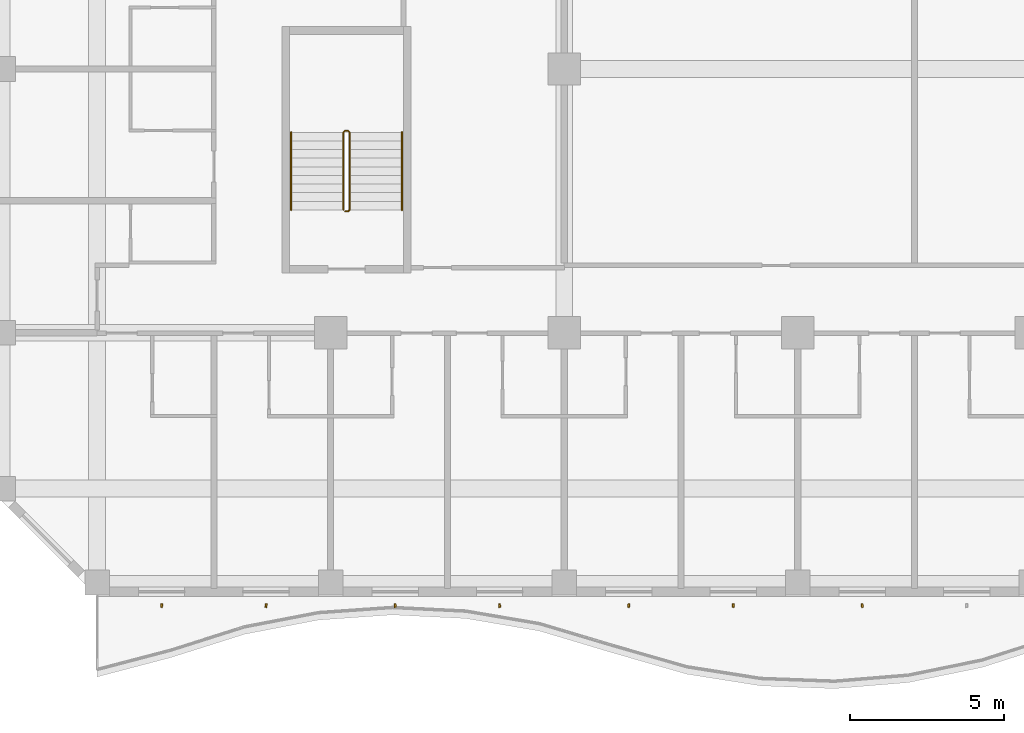
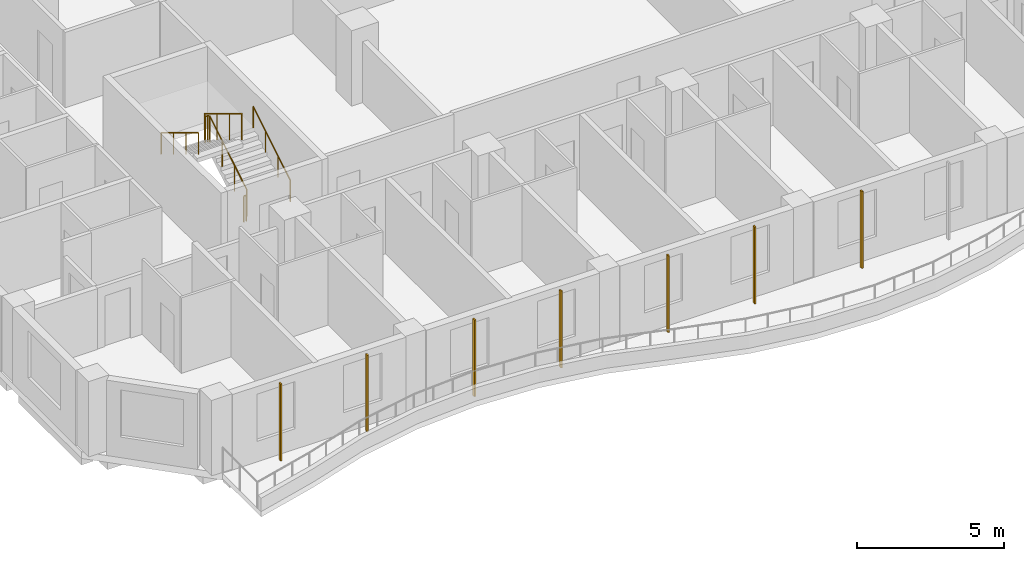
# One storey, part 15 of 24: 7 shading devices, 3 railings.
"""IFC4 building model written with IfcOpenShell, lengths in metres."""

from ifc_helpers import new_model, si_unit, direction, frame, origin, origin_2d, place, context, subcontext, project, spatial, rectangle, circle, extrude, source, transform, mapped, material, material_profile, profile_set, type_object, element, save


model = new_model("IFC4")

# Units and contexts
model_context = context("Model", 3, precision=1e-05, world=origin(), true_north=direction((0.0, 1.0)))
body_context = subcontext(model_context, "Body", "Model", "MODEL_VIEW")
ifc_project = project(units=[si_unit("LENGTHUNIT", "METRE"), si_unit("AREAUNIT", "SQUARE_METRE"), si_unit("VOLUMEUNIT", "CUBIC_METRE"), si_unit("PLANEANGLEUNIT", "RADIAN"), si_unit("MASSUNIT", "GRAM", prefix="KILO")], contexts=[model_context])

# Site, building, storey
site_placement = place(None, origin())
site = spatial("IfcSite", under=ifc_project, at=site_placement, CompositionType="ELEMENT")
building_placement = place(site_placement, origin())
building = spatial("IfcBuilding", under=site, at=building_placement, Name="Kilnfold Tower and Market Hall", CompositionType="ELEMENT")
storey_placement = place(building_placement, frame((0.0, 0.0, 175.300048828125)))
storey = spatial("IfcBuildingStorey", under=building, at=storey_placement, Name="L41", CompositionType="ELEMENT", Elevation=175.300048828125)

# Railings
ifc_material_1 = material(Name="Stainless steel 316", Category="steel")
railing_type_1 = type_object("IfcRailingType", Name="CORE STAIR GUARD 1100", PredefinedType="GUARDRAIL", material=ifc_material_1)
railing_1_placement = place(storey_placement, frame((-15.699951171875, -13.75, 0.0)))
element("IfcRailing", 1, at=railing_1_placement, inside=storey, type_object=railing_type_1, Name="L41 ST3 stair guard 1", PredefinedType="GUARDRAIL", context=body_context, shape_type="SweptSolid", body=[
    extrude(circle(Radius=0.02392578125, at=origin_2d()), frame((0.0, 0.0, 1.076171875), z_axis=(1.0, 0.0, 0.0), x_axis=(0.0, 1.0, 0.0)), (0.0, 0.0, 1.0), 0.099853515625),
    extrude(circle(Radius=0.02392578125, at=origin_2d()), frame((0.099853515625, 0.0, 1.076171875), z_axis=(0.271895245746, 0.271895245746, 0.923117517265), x_axis=(-0.707106781187, 0.707106781187, 0.0)), (0.0, 0.0, 1.0), 0.18408203125),
    extrude(circle(Radius=0.02392578125, at=origin_2d()), frame((0.14990234375, 0.050048828125, 1.24609375), z_axis=(0.0, 0.85478489116, 0.518982456201), x_axis=(-1.0, 0.0, 0.0)), (0.0, 0.0, 1.0), 2.9482421875),
    extrude(circle(Radius=0.02392578125, at=origin_2d()), frame((0.14990234375, 2.570068359375, 2.77587890625), z_axis=(-0.707106781187, 0.707106781187, 0.0), x_axis=(-0.707106781187, -0.707106781187, 0.0)), (0.0, 0.0, 1.0), 0.07080078125),
    extrude(circle(Radius=0.02392578125, at=origin_2d()), frame((0.099853515625, 2.6201171875, 2.77587890625), z_axis=(-1.0, 0.0, 0.0), x_axis=(0.0, -1.0, 0.0)), (0.0, 0.0, 1.0), 0.099853515625),
    extrude(circle(Radius=0.02392578125, at=origin_2d()), frame((0.0, 2.6201171875, 2.77587890625), z_axis=(-0.271895245746, -0.271895245746, 0.923117517265), x_axis=(0.707106781187, -0.707106781187, 0.0)), (0.0, 0.0, 1.0), 0.18408203125),
    extrude(circle(Radius=0.02392578125, at=origin_2d()), frame((-0.050048828125, 2.570068359375, 2.94580078125), z_axis=(0.0, -0.85478489116, 0.518982456201), x_axis=(1.0, 0.0, 0.0)), (0.0, 0.0, 1.0), 2.9482421875),
    extrude(circle(Radius=0.02099609375, at=origin_2d()), origin(), (0.0, 0.0, 1.0), 1.052001953125),
    extrude(circle(Radius=0.02099609375, at=origin_2d()), frame((0.099853515625, 0.0, 0.0)), (0.0, 0.0, 1.0), 1.052001953125),
    extrude(circle(Radius=0.02099609375, at=origin_2d()), frame((0.14990234375, 0.050048828125, 0.169921875)), (0.0, 0.0, 1.0), 1.052001953125),
    extrude(circle(Radius=0.02099609375, at=origin_2d()), frame((0.14990234375, 0.89013671875, 0.679931640625)), (0.0, 0.0, 1.0), 1.052001953125),
    extrude(circle(Radius=0.02099609375, at=origin_2d()), frame((0.14990234375, 1.72998046875, 1.18994140625)), (0.0, 0.0, 1.0), 1.052001953125),
    extrude(circle(Radius=0.02099609375, at=origin_2d()), frame((0.14990234375, 2.570068359375, 1.699951171875)), (0.0, 0.0, 1.0), 1.052001953125),
    extrude(circle(Radius=0.02099609375, at=origin_2d()), frame((0.099853515625, 2.6201171875, 1.699951171875)), (0.0, 0.0, 1.0), 1.052001953125),
    extrude(circle(Radius=0.02099609375, at=origin_2d()), frame((0.0, 2.6201171875, 1.699951171875)), (0.0, 0.0, 1.0), 1.052001953125),
    extrude(circle(Radius=0.02099609375, at=origin_2d()), frame((-0.050048828125, 2.570068359375, 1.869873046875)), (0.0, 0.0, 1.0), 1.052001953125),
    extrude(circle(Radius=0.02099609375, at=origin_2d()), frame((-0.050048828125, 1.72998046875, 2.3798828125)), (0.0, 0.0, 1.0), 1.052001953125),
    extrude(circle(Radius=0.02099609375, at=origin_2d()), frame((-0.050048828125, 0.89013671875, 2.889892578125)), (0.0, 0.0, 1.0), 1.052001953125),
    extrude(circle(Radius=0.02099609375, at=origin_2d()), frame((-0.050048828125, 0.050048828125, 3.39990234375)), (0.0, 0.0, 1.0), 1.052001953125),
])
ifc_material_2 = material(Name="Stainless steel 316", Category="steel")
railing_type_2 = type_object("IfcRailingType", Name="CORE STAIR HANDRAIL 900", PredefinedType="HANDRAIL", material=ifc_material_2)
railing_2_placement = place(storey_placement, frame((-13.85009765625, -13.699951171875, 0.169921875)))
element("IfcRailing", 2, at=railing_2_placement, inside=storey, type_object=railing_type_2, Name="L41 ST3 stair handrail 1", PredefinedType="HANDRAIL", context=body_context, shape_type="SweptSolid", body=[
    extrude(circle(Radius=0.02392578125, at=origin_2d()), frame((0.0, 0.0, 0.8759765625), z_axis=(0.0, 0.85478489116, 0.518982456201), x_axis=(-1.0, 0.0, 0.0)), (0.0, 0.0, 1.0), 2.9482421875),
    extrude(circle(Radius=0.02099609375, at=origin_2d()), origin(), (0.0, 0.0, 1.0), 0.851806640625),
    extrude(circle(Radius=0.02099609375, at=origin_2d()), frame((0.0, 0.840087890625, 0.510009765625)), (0.0, 0.0, 1.0), 0.851806640625),
    extrude(circle(Radius=0.02099609375, at=origin_2d()), frame((0.0, 1.679931640625, 1.02001953125)), (0.0, 0.0, 1.0), 0.851806640625),
    extrude(circle(Radius=0.02099609375, at=origin_2d()), frame((0.0, 2.52001953125, 1.530029296875)), (0.0, 0.0, 1.0), 0.851806640625),
])
railing_3_placement = place(storey_placement, frame((-17.449951171875, -11.179931640625, 1.869873046875)))
element("IfcRailing", 3, at=railing_3_placement, inside=storey, type_object=railing_type_2, Name="L41 ST3 stair handrail 2", PredefinedType="HANDRAIL", context=body_context, shape_type="SweptSolid", body=[
    extrude(circle(Radius=0.02392578125, at=origin_2d()), frame((0.0, 0.0, 0.8759765625), z_axis=(0.0, -0.85478489116, 0.518982456201), x_axis=(1.0, 0.0, 0.0)), (0.0, 0.0, 1.0), 2.9482421875),
    extrude(circle(Radius=0.02099609375, at=origin_2d()), origin(), (0.0, 0.0, 1.0), 0.851806640625),
    extrude(circle(Radius=0.02099609375, at=origin_2d()), frame((0.0, -0.840087890625, 0.510009765625)), (0.0, 0.0, 1.0), 0.851806640625),
    extrude(circle(Radius=0.02099609375, at=origin_2d()), frame((0.0, -1.679931640625, 1.02001953125)), (0.0, 0.0, 1.0), 0.851806640625),
    extrude(circle(Radius=0.02099609375, at=origin_2d()), frame((0.0, -2.52001953125, 1.530029296875)), (0.0, 0.0, 1.0), 0.851806640625),
])

# Shading devices
ifc_material_3 = material(Name="Terracotta", Category="masonry")
ifc_material_profile = material_profile(ifc_material_3, rectangle(XDim=0.06005859375, YDim=0.1201171875, at=origin_2d()), Name="BAG 60x120")
ifc_profile_set = profile_set([ifc_material_profile], Name="Terracotta")
shading_device_type = type_object("IfcShadingDeviceType", Name="BAGUETTE", PredefinedType="USERDEFINED", material=ifc_profile_set)
shared_shape = source(origin(), body_context, "Body", "SweptSolid", [
    extrude(rectangle(XDim=0.06005859375, YDim=0.1201171875, at=origin_2d()), origin(), (0.0, 0.0, 1.0), 3.179931640625),
])
for number, where, z_axis, x_axis, name in (
    (4, (-21.654296875, -26.550048828125, 0.0), (0.0, 0.0, 1.0), (0.99727431926, -0.073783007159, 0.0), "Terracotta baguette L41 S"),
    (5, (-18.2626953125, -26.550048828125, 0.0), (0.0, 0.0, 1.0), (0.992573565059, -0.12164587106, 0.0), "Terracotta baguette L41 S"),
    (6, (-14.07080078125, -26.550048828125, 0.0), (0.0, 0.0, 1.0), (0.994802098947, 0.101827225878, 0.0), "Terracotta baguette L41 S"),
    (7, (-10.67919921875, -26.550048828125, 0.0), (0.0, 0.0, 1.0), (0.994985290956, 0.100021351631, 0.0), "Terracotta baguette L41 S"),
    (8, (-6.4873046875, -26.550048828125, 0.0), (0.0, 0.0, 1.0), (0.992419487701, -0.12289654361, 0.0), "Terracotta baguette L41 S"),
    (9, (-3.095703125, -26.550048828125, 0.0), (0.0, 0.0, 1.0), (0.997437537453, -0.071542706686, 0.0), "Terracotta baguette L41 S"),
    (10, (1.095703125, -26.550048828125, 0.0), (0.0, 0.0, 1.0), (0.990764887171, 0.135591070318, 0.0), "Terracotta baguette L41 S"),
):
    element("IfcShadingDevice", number, at=place(storey_placement, frame(where, z_axis=z_axis, x_axis=x_axis)), inside=storey, type_object=shading_device_type, Name=name, ObjectType="BAGUETTE", PredefinedType="USERDEFINED", context=body_context, shape_type="MappedRepresentation", body=[
        mapped(shared_shape, transform((0.0, 0.0, 0.0))),
    ])

save(model, "model.ifc")
